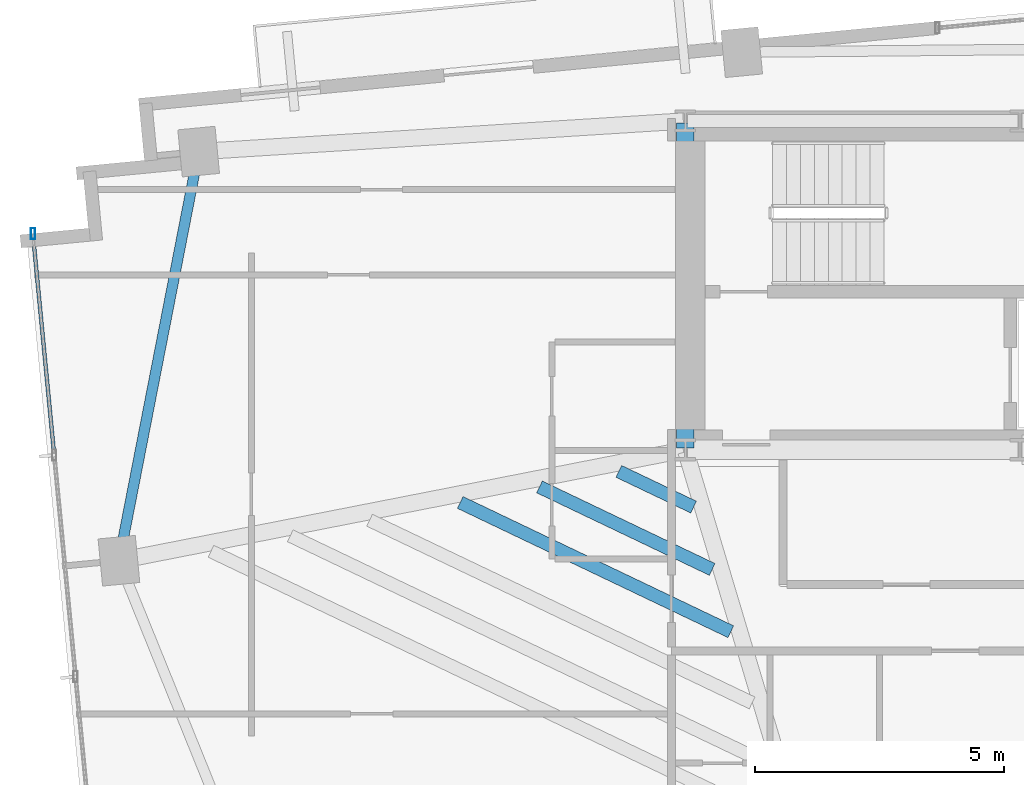
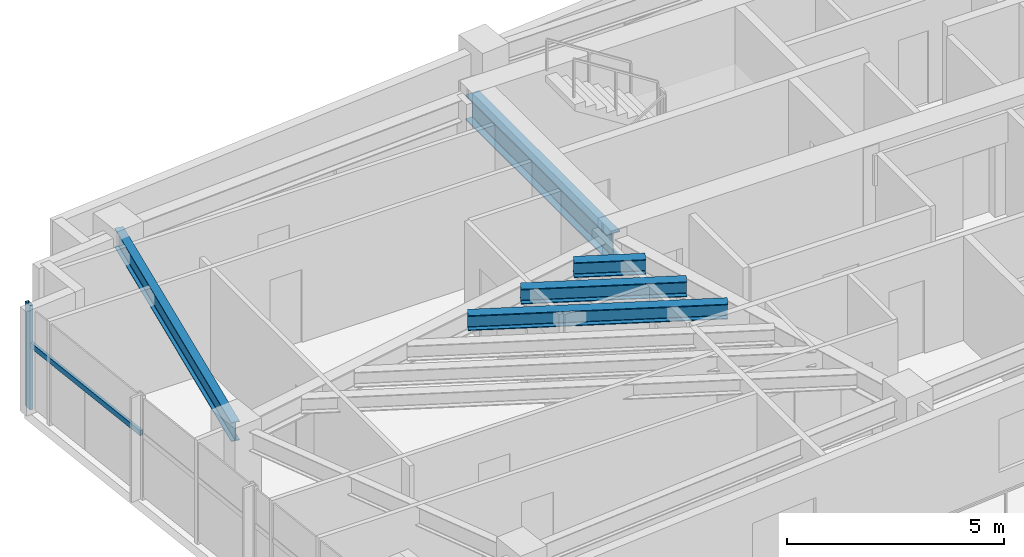
# One storey, part 3 of 18: 5 beams, 2 members, 1 element without a shape of its own.
"""IFC4 building model written with IfcOpenShell, lengths in metres."""

from ifc_helpers import new_model, si_unit, direction, frame, origin, origin_2d, place, context, subcontext, project, spatial, hollow_rectangle, i_section, extrude, source, transform, mapped, material, material_profile, profile_set, type_object, type_shapes, element, aggregate, save


model = new_model("IFC4")

# Units and contexts
model_context = context("Model", 3, precision=1e-05, world=origin(), true_north=direction((0.0, 1.0)))
body_context = subcontext(model_context, "Body", "Model", "MODEL_VIEW")
ifc_project = project(units=[si_unit("LENGTHUNIT", "METRE"), si_unit("AREAUNIT", "SQUARE_METRE"), si_unit("VOLUMEUNIT", "CUBIC_METRE"), si_unit("PLANEANGLEUNIT", "RADIAN"), si_unit("MASSUNIT", "GRAM", prefix="KILO")], contexts=[model_context])

# Site, building, storey
site_placement = place(None, origin())
site = spatial("IfcSite", under=ifc_project, at=site_placement, CompositionType="ELEMENT")
building_placement = place(site_placement, origin())
building = spatial("IfcBuilding", under=site, at=building_placement, Name="Astriad Promenade Condominiums", CompositionType="ELEMENT")
storey_placement = place(building_placement, frame((0.0, 0.0, 195.39990234375)))
storey = spatial("IfcBuildingStorey", under=building, at=storey_placement, Name="L56", CompositionType="ELEMENT", Elevation=195.39990234375)

# Beams
ifc_material_1 = material(Name="Steel ASTM A992 Grade 50", Category="steel")
ifc_material_profile_1 = material_profile(ifc_material_1, i_section(OverallWidth=0.35791015625, OverallDepth=0.706298828125, WebThickness=0.018310546875, FlangeThickness=0.0302734375, FilletRadius=0.020263671875, at=origin_2d()), Name="W27X178")
ifc_profile_set_1 = profile_set([ifc_material_profile_1], Name="Steel ASTM A992 Grade 50")
beam_type_1 = type_object("IfcBeamType", Name="STEEL FLOOR GIRDER W27X178", PredefinedType="BEAM", material=ifc_profile_set_1)
shared_shape_1 = source(origin(), body_context, "Body", "SweptSolid", [
    extrude(i_section(OverallWidth=0.35791015625, OverallDepth=0.706298828125, WebThickness=0.018310546875, FlangeThickness=0.0302734375, FilletRadius=0.020263671875, at=origin_2d()), origin(), (0.0, 0.0, 1.0), 6.52001953125),
])
type_shapes(beam_type_1, [shared_shape_1])
beam_1_placement = place(storey_placement, frame((26.39990234375, 17.43994140625, 2.5869140625), z_axis=(0.0, 1.0, 0.0), x_axis=(-1.0, 0.0, 0.0)))
element("IfcBeam", 1, at=beam_1_placement, inside=storey, type_object=beam_type_1, Name="Core Ring Beam CG-W1-L56", PredefinedType="BEAM", context=body_context, shape_type="MappedRepresentation", body=[
    mapped(shared_shape_1, transform((0.0, 0.0, 0.0), scale=1.0)),
])
ifc_material_profile_2 = material_profile(ifc_material_1, i_section(OverallWidth=0.210693359375, OverallDepth=0.53955078125, WebThickness=0.01171875, FlangeThickness=0.018798828125, FilletRadius=0.0166015625, at=origin_2d()), Name="W21X73")
ifc_profile_set_2 = profile_set([ifc_material_profile_2], Name="Steel ASTM A992 Grade 50")
beam_type_2 = type_object("IfcBeamType", Name="STEEL SPANDREL BEAM W21X73", PredefinedType="SPANDREL", material=ifc_profile_set_2)
shared_shape_2 = source(origin(), body_context, "Body", "SweptSolid", [
    extrude(i_section(OverallWidth=0.210693359375, OverallDepth=0.53955078125, WebThickness=0.01171875, FlangeThickness=0.018798828125, FilletRadius=0.0166015625, at=origin_2d()), origin(), (0.0, 0.0, 1.0), 8.28564453125),
])
type_shapes(beam_type_2, [shared_shape_2])
beam_2_placement = place(storey_placement, frame((16.62451171875, 23.3447265625, 2.67041015625), z_axis=(-0.191291582099, -0.981533254973, 0.0), x_axis=(0.981533254973, -0.191291582099, 0.0)))
element("IfcBeam", 2, at=beam_2_placement, inside=storey, type_object=beam_type_2, Name="Perimeter Spandrel Beam SP-W2-L56", PredefinedType="SPANDREL", context=body_context, shape_type="MappedRepresentation", body=[
    mapped(shared_shape_2, transform((0.0, 0.0, 0.0), scale=1.0)),
])
ifc_material_profile_3 = material_profile(ifc_material_1, i_section(OverallWidth=0.26318359375, OverallDepth=0.425537109375, WebThickness=0.01318359375, FlangeThickness=0.022216796875, FilletRadius=0.013916015625, at=origin_2d()), Name="W16X89")
ifc_profile_set_3 = profile_set([ifc_material_profile_3], Name="Steel ASTM A992 Grade 50")
beam_type_3 = type_object("IfcBeamType", Name="STEEL FLOOR JOIST W16X89", PredefinedType="JOIST", material=ifc_profile_set_3)
shared_shape_3 = source(origin(), body_context, "Body", "SweptSolid", [
    extrude(i_section(OverallWidth=0.26318359375, OverallDepth=0.425537109375, WebThickness=0.01318359375, FlangeThickness=0.022216796875, FilletRadius=0.013916015625, at=origin_2d()), origin(), (0.0, 0.0, 1.0), 6.01904296875),
])
beam_3_placement = place(storey_placement, frame((21.882080078125, 16.342041015625, 2.727294921875), z_axis=(0.902329759838, -0.431046406446, 0.0), x_axis=(0.431046406446, 0.902329759838, 0.0)))
element("IfcBeam", 3, at=beam_3_placement, inside=storey, type_object=beam_type_3, Name="Secondary Composite Floor Joist JW1-4-L56", PredefinedType="JOIST", context=body_context, shape_type="MappedRepresentation", body=[
    mapped(shared_shape_3, transform((0.0, 0.0, 0.0), scale=1.0)),
])
shared_shape_4 = source(origin(), body_context, "Body", "SweptSolid", [
    extrude(i_section(OverallWidth=0.26318359375, OverallDepth=0.425537109375, WebThickness=0.01318359375, FlangeThickness=0.022216796875, FilletRadius=0.013916015625, at=origin_2d()), origin(), (0.0, 0.0, 1.0), 3.84130859375),
])
beam_4_placement = place(storey_placement, frame((23.473388671875, 16.65380859375, 2.727294921875), z_axis=(0.902328811953, -0.431048390693, 0.0), x_axis=(0.431048390693, 0.902328811953, 0.0)))
element("IfcBeam", 4, at=beam_4_placement, inside=storey, type_object=beam_type_3, Name="Secondary Composite Floor Joist JW1-5-L56", PredefinedType="JOIST", context=body_context, shape_type="MappedRepresentation", body=[
    mapped(shared_shape_4, transform((0.0, 0.0, 0.0), scale=1.0)),
])
shared_shape_5 = source(origin(), body_context, "Body", "SweptSolid", [
    extrude(i_section(OverallWidth=0.26318359375, OverallDepth=0.425537109375, WebThickness=0.01318359375, FlangeThickness=0.022216796875, FilletRadius=0.013916015625, at=origin_2d()), origin(), (0.0, 0.0, 1.0), 1.6630859375),
])
type_shapes(beam_type_3, [shared_shape_3, shared_shape_4, shared_shape_5])
beam_5_placement = place(storey_placement, frame((25.065185546875, 16.965576171875, 2.727294921875), z_axis=(0.902355200591, -0.430993146077, 0.0), x_axis=(0.430993146077, 0.902355200591, 0.0)))
element("IfcBeam", 5, at=beam_5_placement, inside=storey, type_object=beam_type_3, Name="Secondary Composite Floor Joist JW1-6-L56", PredefinedType="JOIST", context=body_context, shape_type="MappedRepresentation", body=[
    mapped(shared_shape_5, transform((0.0, 0.0, 0.0), scale=1.0)),
])

# Curtain wall, members
ifc_material_2 = material(Name="Anodised aluminium Black Dark Glass Unitised", Category="aluminium")
curtain_wall_type = type_object("IfcCurtainWallType", Name="CW-B34-DARK", PredefinedType="USERDEFINED", material=ifc_material_2)
curtain_wall_placement = place(storey_placement, origin())
curtain_wall = element("IfcCurtainWall", 6, at=curtain_wall_placement, inside=storey, type_object=curtain_wall_type, Name="CW-L56-W", ObjectType="UNITISED_CURTAIN_WALL", PredefinedType="USERDEFINED")
ifc_material_3 = material(Name="Anodised aluminium 6063-T6 Black", Category="aluminium")
ifc_material_profile_4 = material_profile(ifc_material_3, hollow_rectangle(XDim=0.0849609375, YDim=0.219970703125, WallThickness=0.0048828125, at=origin_2d()), Name="ALU-MUL-85X220")
ifc_profile_set_4 = profile_set([ifc_material_profile_4], Name="Anodised aluminium 6063-T6 Black")
member_type_1 = type_object("IfcMemberType", Name="MUL-ALU-MUL-85X220", PredefinedType="MULLION", material=ifc_profile_set_4)
shared_shape_6 = source(origin(), body_context, "Body", "SweptSolid", [
    extrude(hollow_rectangle(XDim=0.0849609375, YDim=0.219970703125, WallThickness=0.0048828125, at=origin_2d()), origin(), (0.0, 0.0, 1.0), 2.940185546875),
])
type_shapes(member_type_1, [shared_shape_6])
member_1_placement = place(storey_placement, frame((13.3046875, 21.737548828125, 0.0), z_axis=(0.0, 0.0, 1.0), x_axis=(1.0, 0.0, 0.0)))
member_1 = element("IfcMember", 7, at=member_1_placement, type_object=member_type_1, Name="CW-L56-W-MUL-03", PredefinedType="MULLION", context=body_context, shape_type="MappedRepresentation", body=[
    mapped(shared_shape_6, transform((0.0, 0.0, 0.0), scale=1.0)),
])
ifc_material_profile_5 = material_profile(ifc_material_3, hollow_rectangle(XDim=0.074951171875, YDim=0.14990234375, WallThickness=0.004150390625, at=origin_2d()), Name="ALU-TRN-75X150")
ifc_profile_set_5 = profile_set([ifc_material_profile_5], Name="Anodised aluminium 6063-T6 Black")
member_type_2 = type_object("IfcMemberType", Name="TRN-ALU-TRN-75X150", PredefinedType="USERDEFINED", material=ifc_profile_set_5)
shared_shape_7 = source(origin(), body_context, "Body", "SweptSolid", [
    extrude(hollow_rectangle(XDim=0.074951171875, YDim=0.14990234375, WallThickness=0.004150390625, at=origin_2d()), origin(), (0.0, 0.0, 1.0), 4.466552734375),
])
type_shapes(member_type_2, [shared_shape_7])
member_2_placement = place(storey_placement, frame((13.732666015625, 17.29150390625, 1.822998046875), z_axis=(-0.095817598554, 0.995398908884, 0.0), x_axis=(-0.995398908884, -0.095817598554, 0.0)))
member_2 = element("IfcMember", 8, at=member_2_placement, type_object=member_type_2, Name="CW-L56-W-TRN-02-0", ObjectType="TRANSOM", PredefinedType="USERDEFINED", context=body_context, shape_type="MappedRepresentation", body=[
    mapped(shared_shape_7, transform((0.0, 0.0, 0.0), scale=1.0)),
])
aggregate(curtain_wall, [member_1, member_2])

save(model, "model.ifc")
